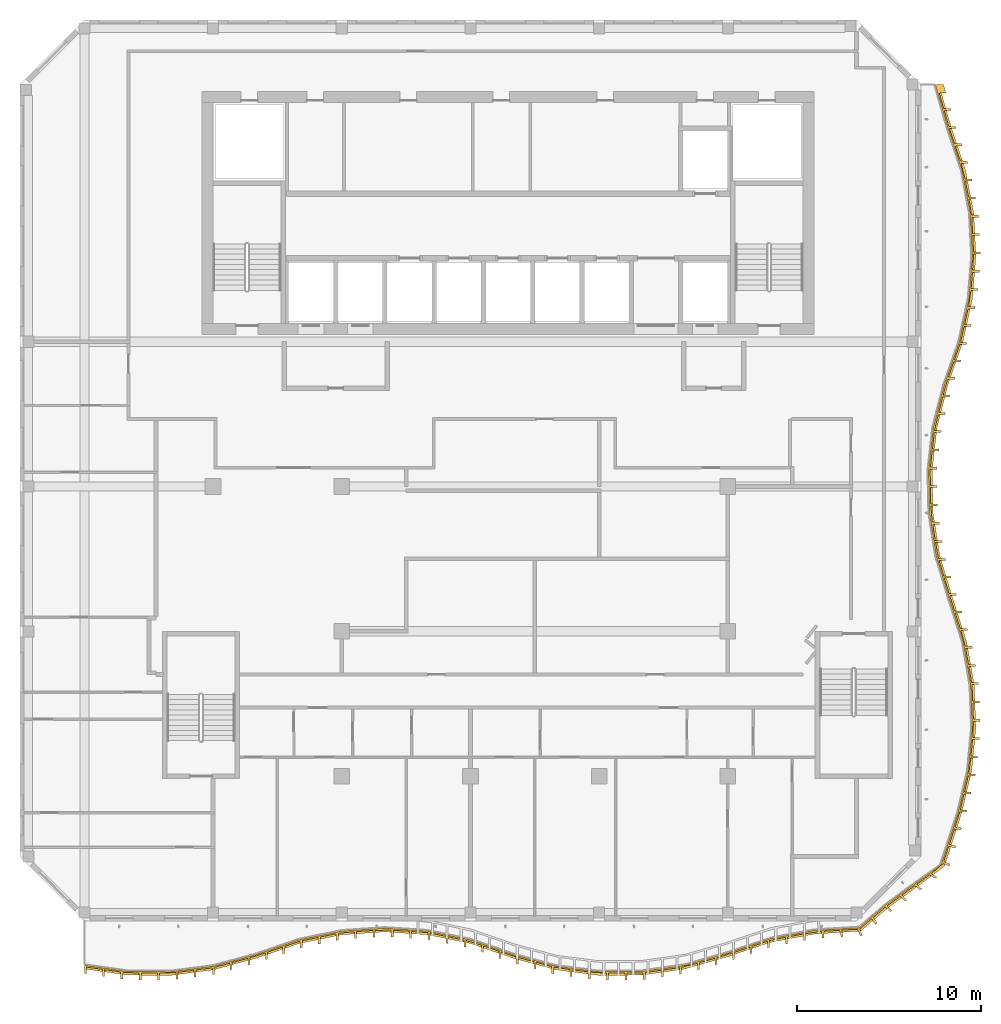
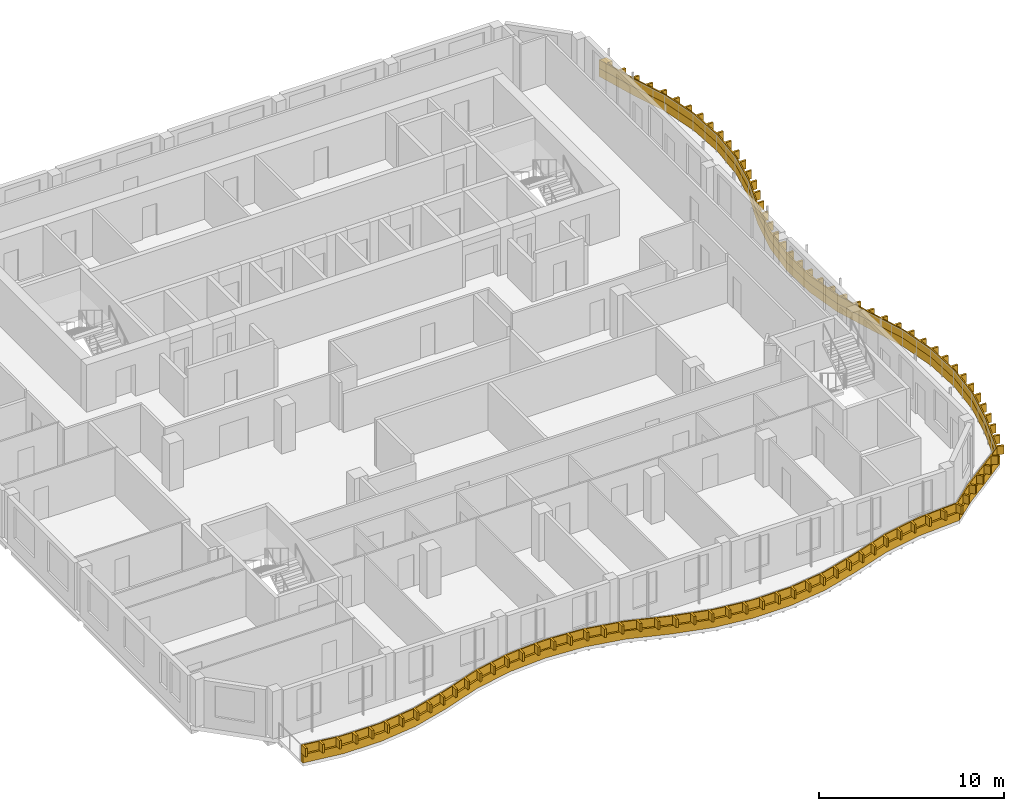
# One storey, part 12 of 17: 2 shading devices.
"""IFC4 building model written with IfcOpenShell, lengths in metres."""

from ifc_helpers import new_model, si_unit, direction, frame, origin, place, context, subcontext, project, spatial, polyline, outline, extrude, source, transform, mapped, material, layer, layer_set, type_object, element, save


model = new_model("IFC4")

# Units and contexts
model_context = context("Model", 3, precision=1e-05, world=origin(), true_north=direction((0.0, 1.0)))
body_context = subcontext(model_context, "Body", "Model", "MODEL_VIEW")
ifc_project = project(units=[si_unit("LENGTHUNIT", "METRE"), si_unit("AREAUNIT", "SQUARE_METRE"), si_unit("VOLUMEUNIT", "CUBIC_METRE"), si_unit("PLANEANGLEUNIT", "RADIAN"), si_unit("MASSUNIT", "GRAM", prefix="KILO")], contexts=[model_context])

# Site, building, storey
site_placement = place(None, origin())
site = spatial("IfcSite", under=ifc_project, at=site_placement, CompositionType="ELEMENT")
building_placement = place(site_placement, origin())
building = spatial("IfcBuilding", under=site, at=building_placement, Name="Kilnfold Tower and Market Hall", CompositionType="ELEMENT")
storey_placement = place(building_placement, frame((0.0, 0.0, 298.39990234375)))
storey = spatial("IfcBuildingStorey", under=building, at=storey_placement, Name="L74", CompositionType="ELEMENT", Elevation=298.39990234375)

# Shading devices
ifc_material_1 = material(Name="Precast concrete C50/60", Category="concrete")
ifc_layer_1 = layer(ifc_material_1, 0.550048828125)
ifc_layer_set_1 = layer_set([ifc_layer_1], Name="Precast concrete C50/60")
shading_device_type_1 = type_object("IfcShadingDeviceType", Name="BALCONY UPSTAND 550", PredefinedType="USERDEFINED", material=ifc_layer_set_1)
shared_shape_1 = source(origin(), body_context, "Body", "SweptSolid", [
    extrude(outline(polyline([(-22.0, -26.117431640625), (-19.666748046875, -26.45166015625), (-17.333251953125, -26.46923828125), (-15.0, -26.1708984375), (-12.666748046875, -25.5400390625), (-10.333251953125, -24.73779296875), (-8.0, -24.257568359375), (-5.666748046875, -24.10009765625), (-3.333251953125, -24.25634765625), (-1.0, -24.735595703125), (1.333251953125, -25.537109375), (3.666748046875, -26.169189453125), (6.0, -26.468505859375), (8.333251953125, -26.452392578125), (10.666748046875, -26.119384765625), (13.0, -25.450439453125), (15.333251953125, -24.669677734375), (17.666748046875, -24.225341796875), (20.230224609375, -24.055908203125), (21.664306640625, -22.830810546875), (23.015625, -21.84912109375), (24.78759765625, -20.533203125), (25.71337890625, -17.666748046875), (26.2666015625, -15.333251953125), (26.49267578125, -13.0), (26.404296875, -10.666748046875), (25.99658203125, -8.333251953125), (25.246826171875, -6.0), (24.538330078125, -3.666748046875), (24.169189453125, -1.333251953125), (24.11767578125, 1.0), (24.381103515625, 3.333251953125), (24.974609375, 5.666748046875), (25.789794921875, 8.0), (26.306396484375, 10.333251953125), (26.498046875, 12.666748046875), (26.375732421875, 15.0), (25.9326171875, 17.333251953125), (25.152587890625, 19.666748046875), (24.482421875, 22.0), (24.282470703125, 22.0), (24.95263671875, 19.666748046875), (25.732666015625, 17.333251953125), (26.17578125, 15.0), (26.298095703125, 12.666748046875), (26.1064453125, 10.333251953125), (25.589599609375, 8.0), (24.774658203125, 5.666748046875), (24.18115234375, 3.333251953125), (23.91748046875, 1.0), (23.968994140625, -1.333251953125), (24.33837890625, -3.666748046875), (25.046875, -6.0), (25.796630859375, -8.333251953125), (26.2041015625, -10.666748046875), (26.29248046875, -13.0), (26.06640625, -15.333251953125), (25.51318359375, -17.666748046875), (24.602783203125, -20.456787109375), (22.874267578125, -21.707763671875), (21.52294921875, -22.689453125), (20.15380859375, -23.87109375), (17.666748046875, -24.025390625), (15.333251953125, -24.4697265625), (13.0, -25.25048828125), (10.666748046875, -25.919189453125), (8.333251953125, -26.252197265625), (6.0, -26.2685546875), (3.666748046875, -25.96923828125), (1.333251953125, -25.337158203125), (-1.0, -24.535400390625), (-3.333251953125, -24.056396484375), (-5.666748046875, -23.89990234375), (-8.0, -24.0576171875), (-10.333251953125, -24.537841796875), (-12.666748046875, -25.340087890625), (-15.0, -25.970947265625), (-17.333251953125, -26.269287109375), (-19.666748046875, -26.251708984375), (-22.0, -25.91748046875), (-22.0, -26.117431640625)])), origin(), (0.0, 0.0, 1.0), 0.550048828125),
])
shading_device_1_placement = place(storey_placement, origin())
element("IfcShadingDevice", 1, at=shading_device_1_placement, inside=storey, type_object=shading_device_type_1, Name="Balcony fascia L74", ObjectType="FASCIA", PredefinedType="USERDEFINED", context=body_context, shape_type="MappedRepresentation", body=[
    mapped(shared_shape_1, transform((0.0, 0.0, 0.0))),
])
ifc_material_2 = material(Name="Bronze anodised aluminium", Category="aluminium")
ifc_layer_2 = layer(ifc_material_2, 0.550048828125)
ifc_layer_set_2 = layer_set([ifc_layer_2], Name="Bronze anodised aluminium")
shading_device_type_2 = type_object("IfcShadingDeviceType", Name="BRONZE SLAT FASCIA 550", PredefinedType="USERDEFINED", material=ifc_layer_set_2)
shared_shape_2 = source(origin(), body_context, "Body", "SweptSolid", [
    extrude(outline(polyline([(-22.0, -26.367431640625), (-22.0, -25.91748046875), (-19.666748046875, -26.251708984375), (-17.333251953125, -26.269287109375), (-15.0, -25.970947265625), (-12.666748046875, -25.340087890625), (-10.333251953125, -24.537841796875), (-8.0, -24.0576171875), (-5.666748046875, -23.89990234375), (-3.333251953125, -24.056396484375), (-1.0, -24.535400390625), (1.333251953125, -25.337158203125), (3.666748046875, -25.96923828125), (6.0, -26.2685546875), (8.333251953125, -26.252197265625), (10.666748046875, -25.919189453125), (13.0, -25.25048828125), (15.333251953125, -24.4697265625), (17.666748046875, -24.025390625), (20.15380859375, -23.87109375), (21.52294921875, -22.689453125), (24.602783203125, -20.456787109375), (25.51318359375, -17.666748046875), (26.06640625, -15.333251953125), (26.29248046875, -13.0), (26.2041015625, -10.666748046875), (25.796630859375, -8.333251953125), (25.046875, -6.0), (24.33837890625, -3.666748046875), (23.968994140625, -1.333251953125), (23.91748046875, 1.0), (24.18115234375, 3.333251953125), (24.774658203125, 5.666748046875), (25.589599609375, 8.0), (26.1064453125, 10.333251953125), (26.298095703125, 12.666748046875), (26.17578125, 15.0), (25.732666015625, 17.333251953125), (24.95263671875, 19.666748046875), (24.282470703125, 22.0), (24.732421875, 22.0), (24.868896484375, 21.525390625), (24.498779296875, 21.525390625), (24.74169921875, 20.679443359375), (25.11181640625, 20.679443359375), (25.14501953125, 20.564208984375), (24.77490234375, 20.564208984375), (25.017822265625, 19.71826171875), (25.387939453125, 19.71826171875), (25.423583984375, 19.603759765625), (25.0537109375, 19.603759765625), (25.332763671875, 18.769287109375), (25.70263671875, 18.769287109375), (25.74072265625, 18.655517578125), (25.37060546875, 18.655517578125), (25.649658203125, 17.82080078125), (26.019775390625, 17.82080078125), (26.0576171875, 17.70703125), (25.687744140625, 17.70703125), (25.9033203125, 16.855712890625), (26.273193359375, 16.855712890625), (26.295654296875, 16.73779296875), (25.92578125, 16.73779296875), (26.08984375, 15.873291015625), (26.4599609375, 15.873291015625), (26.482421875, 15.755615234375), (26.1123046875, 15.755615234375), (26.26171875, 14.88916015625), (26.631591796875, 14.88916015625), (26.637939453125, 14.769287109375), (26.267822265625, 14.769287109375), (26.31396484375, 13.890380859375), (26.68408203125, 13.890380859375), (26.690185546875, 13.770751953125), (26.3203125, 13.770751953125), (26.3662109375, 12.891845703125), (26.736328125, 12.891845703125), (26.74267578125, 12.772216796875), (26.37255859375, 12.772216796875), (26.314697265625, 11.894775390625), (26.684814453125, 11.894775390625), (26.6748046875, 11.775146484375), (26.304931640625, 11.775146484375), (26.23291015625, 10.898193359375), (26.602783203125, 10.898193359375), (26.593017578125, 10.778564453125), (26.222900390625, 10.778564453125), (26.0927734375, 9.910400390625), (26.462646484375, 9.910400390625), (26.436767578125, 9.793212890625), (26.06689453125, 9.793212890625), (25.87646484375, 8.93408203125), (26.24658203125, 8.93408203125), (26.220703125, 8.81689453125), (25.8505859375, 8.81689453125), (25.655517578125, 7.958984375), (26.025390625, 7.958984375), (25.98583984375, 7.845703125), (25.61572265625, 7.845703125), (25.32568359375, 7.014892578125), (25.695556640625, 7.014892578125), (25.656005859375, 6.901611328125), (25.285888671875, 6.901611328125), (24.995849609375, 6.07080078125), (25.36572265625, 6.07080078125), (25.326171875, 5.95751953125), (24.956298828125, 5.95751953125), (24.713623046875, 5.112548828125), (25.08349609375, 5.112548828125), (25.05419921875, 4.99609375), (24.68408203125, 4.99609375), (24.467041015625, 4.143310546875), (24.837158203125, 4.143310546875), (24.8076171875, 4.027099609375), (24.4375, 4.027099609375), (24.24267578125, 3.170166015625), (24.61279296875, 3.170166015625), (24.59912109375, 3.051025390625), (24.229248046875, 3.051025390625), (24.130615234375, 2.176513671875), (24.50048828125, 2.176513671875), (24.487060546875, 2.057373046875), (24.116943359375, 2.057373046875), (24.018310546875, 1.182861328125), (24.38818359375, 1.182861328125), (24.374755859375, 1.063720703125), (24.0048828125, 1.063720703125), (24.015625, 0.18408203125), (24.385498046875, 0.18408203125), (24.38818359375, 0.064208984375), (24.018310546875, 0.064208984375), (24.03759765625, -0.815673828125), (24.40771484375, -0.815673828125), (24.410400390625, -0.935546875), (24.040283203125, -0.935546875), (24.12451171875, -1.8095703125), (24.494384765625, -1.8095703125), (24.51318359375, -1.927978515625), (24.143310546875, -1.927978515625), (24.28076171875, -2.797119140625), (24.650634765625, -2.797119140625), (24.66943359375, -2.915771484375), (24.299560546875, -2.915771484375), (24.453125, -3.78125), (24.822998046875, -3.78125), (24.85791015625, -3.89599609375), (24.488037109375, -3.89599609375), (24.74365234375, -4.738037109375), (25.11376953125, -4.738037109375), (25.1484375, -4.852783203125), (24.778564453125, -4.852783203125), (25.0341796875, -5.69482421875), (25.404296875, -5.69482421875), (25.439208984375, -5.809814453125), (25.069091796875, -5.809814453125), (25.335205078125, -6.6484375), (25.705322265625, -6.6484375), (25.741943359375, -6.7626953125), (25.3720703125, -6.7626953125), (25.64111328125, -7.6005859375), (26.01123046875, -7.6005859375), (26.0478515625, -7.71484375), (25.677978515625, -7.71484375), (25.916259765625, -8.560302734375), (26.2861328125, -8.560302734375), (26.306884765625, -8.678466796875), (25.93701171875, -8.678466796875), (26.08837890625, -9.54541015625), (26.458251953125, -9.54541015625), (26.47900390625, -9.66357421875), (26.10888671875, -9.66357421875), (26.260498046875, -10.530517578125), (26.63037109375, -10.530517578125), (26.65087890625, -10.648681640625), (26.281005859375, -10.648681640625), (26.31689453125, -11.527587890625), (26.686767578125, -11.527587890625), (26.69140625, -11.647705078125), (26.3212890625, -11.647705078125), (26.354736328125, -12.527099609375), (26.724609375, -12.527099609375), (26.729248046875, -12.64697265625), (26.359130859375, -12.64697265625), (26.32177734375, -13.524169921875), (26.69189453125, -13.524169921875), (26.68017578125, -13.643798828125), (26.310302734375, -13.643798828125), (26.225341796875, -14.51953125), (26.595458984375, -14.51953125), (26.583740234375, -14.638916015625), (26.2138671875, -14.638916015625), (26.1044921875, -15.5107421875), (26.474365234375, -15.5107421875), (26.44677734375, -15.627685546875), (26.07666015625, -15.627685546875), (25.873779296875, -16.48388671875), (26.24365234375, -16.48388671875), (26.216064453125, -16.6005859375), (25.845947265625, -16.6005859375), (25.64306640625, -17.456787109375), (26.012939453125, -17.456787109375), (25.9853515625, -17.57373046875), (25.615478515625, -17.57373046875), (25.352783203125, -18.40087890625), (25.71728515625, -18.43798828125), (25.6796875, -18.555908203125), (25.316162109375, -18.51318359375), (25.048095703125, -19.3369140625), (25.40380859375, -19.42138671875), (25.365966796875, -19.539306640625), (25.01171875, -19.44921875), (24.745361328125, -20.273681640625), (25.090087890625, -20.40478515625), (25.052490234375, -20.522705078125), (24.709228515625, -20.385986328125), (24.064208984375, -20.93310546875), (24.3798828125, -21.11767578125), (24.280517578125, -21.193603515625), (23.968994140625, -21.002197265625), (23.273681640625, -21.51171875), (23.552490234375, -21.75048828125), (23.453125, -21.826416015625), (23.17919921875, -21.581298828125), (22.4736328125, -22.096435546875), (22.7353515625, -22.35791015625), (22.63818359375, -22.428466796875), (22.376708984375, -22.1669921875), (21.664794921875, -22.68408203125), (21.92626953125, -22.94580078125), (21.829345703125, -23.017578125), (21.568603515625, -22.75537109375), (20.91650390625, -23.31298828125), (21.122314453125, -23.614501953125), (21.02587890625, -23.69580078125), (20.82763671875, -23.38916015625), (20.176025390625, -23.945556640625), (20.317138671875, -24.28759765625), (20.19287109375, -24.29638671875), (20.05810546875, -23.95263671875), (19.195556640625, -24.005859375), (19.281982421875, -24.36083984375), (19.15771484375, -24.36962890625), (19.077880859375, -24.01318359375), (18.2158203125, -24.06884765625), (18.2470703125, -24.43408203125), (18.122802734375, -24.443115234375), (18.098388671875, -24.076416015625), (17.235107421875, -24.1875), (17.235107421875, -24.5576171875), (17.1171875, -24.580078125), (17.1171875, -24.2099609375), (16.252685546875, -24.37451171875), (16.252685546875, -24.74462890625), (16.134765625, -24.76708984375), (16.134765625, -24.39697265625), (15.272705078125, -24.570068359375), (15.272705078125, -24.93994140625), (15.15869140625, -24.97802734375), (15.15869140625, -24.608154296875), (14.32421875, -24.887451171875), (14.32421875, -25.25732421875), (14.21044921875, -25.29541015625), (14.21044921875, -24.92529296875), (13.3759765625, -25.20458984375), (13.3759765625, -25.57470703125), (13.26220703125, -25.61279296875), (13.26220703125, -25.242919921875), (12.419921875, -25.496826171875), (12.419921875, -25.86669921875), (12.304443359375, -25.89990234375), (12.304443359375, -25.52978515625), (11.45849609375, -25.772216796875), (11.45849609375, -26.142333984375), (11.343017578125, -26.17529296875), (11.343017578125, -25.805419921875), (10.4921875, -26.024169921875), (10.4921875, -26.394287109375), (10.373291015625, -26.4111328125), (10.373291015625, -26.041259765625), (9.502197265625, -26.16552734375), (9.502197265625, -26.535400390625), (9.38330078125, -26.552490234375), (9.38330078125, -26.182373046875), (8.51220703125, -26.306884765625), (8.51220703125, -26.6767578125), (8.393310546875, -26.693603515625), (8.393310546875, -26.32373046875), (7.513916015625, -26.337890625), (7.513916015625, -26.7080078125), (7.39404296875, -26.708984375), (7.39404296875, -26.3388671875), (6.51416015625, -26.344970703125), (6.51416015625, -26.715087890625), (6.39404296875, -26.7158203125), (6.39404296875, -26.345703125), (5.51806640625, -26.286865234375), (5.51806640625, -26.65673828125), (5.39892578125, -26.6416015625), (5.39892578125, -26.271484375), (4.526123046875, -26.159423828125), (4.526123046875, -26.529541015625), (4.406982421875, -26.514404296875), (4.406982421875, -26.144287109375), (3.537841796875, -26.014404296875), (3.537841796875, -26.384521484375), (3.422119140625, -26.35302734375), (3.422119140625, -25.98291015625), (2.572509765625, -25.7529296875), (2.572509765625, -26.122802734375), (2.456787109375, -26.091552734375), (2.456787109375, -25.721435546875), (1.607421875, -25.491455078125), (1.607421875, -25.861328125), (1.49169921875, -25.830078125), (1.49169921875, -25.4599609375), (0.65625, -25.1845703125), (0.65625, -25.554443359375), (0.542724609375, -25.515380859375), (0.542724609375, -25.1455078125), (-0.28955078125, -24.859619140625), (-0.28955078125, -25.2294921875), (-0.403076171875, -25.190673828125), (-0.403076171875, -24.820556640625), (-1.24365234375, -24.5654296875), (-1.24365234375, -24.935546875), (-1.361328125, -24.911376953125), (-1.361328125, -24.541259765625), (-2.223388671875, -24.3642578125), (-2.223388671875, -24.734375), (-2.3408203125, -24.710205078125), (-2.3408203125, -24.340087890625), (-3.202880859375, -24.1630859375), (-3.202880859375, -24.533203125), (-3.3203125, -24.509033203125), (-3.3203125, -24.138916015625), (-4.1982421875, -24.078369140625), (-4.1982421875, -24.448486328125), (-4.31787109375, -24.4404296875), (-4.31787109375, -24.0703125), (-5.196044921875, -24.01171875), (-5.196044921875, -24.381591796875), (-5.315673828125, -24.37353515625), (-5.315673828125, -24.00341796875), (-6.193603515625, -24.015625), (-6.193603515625, -24.385498046875), (-6.3134765625, -24.393798828125), (-6.3134765625, -24.023681640625), (-7.19140625, -24.0830078125), (-7.19140625, -24.452880859375), (-7.311279296875, -24.461181640625), (-7.311279296875, -24.091064453125), (-8.185791015625, -24.17578125), (-8.185791015625, -24.5458984375), (-8.30322265625, -24.570068359375), (-8.30322265625, -24.199951171875), (-9.165283203125, -24.37744140625), (-9.165283203125, -24.747314453125), (-9.28271484375, -24.771484375), (-9.28271484375, -24.401611328125), (-10.14453125, -24.5791015625), (-10.14453125, -24.94921875), (-10.26220703125, -24.973388671875), (-10.26220703125, -24.603271484375), (-11.0966796875, -24.88037109375), (-11.0966796875, -25.25048828125), (-11.210205078125, -25.289306640625), (-11.210205078125, -24.91943359375), (-12.04248046875, -25.20556640625), (-12.04248046875, -25.575439453125), (-12.156005859375, -25.614501953125), (-12.156005859375, -25.244384765625), (-12.994873046875, -25.5087890625), (-12.994873046875, -25.87890625), (-13.110595703125, -25.91015625), (-13.110595703125, -25.5400390625), (-13.960205078125, -25.769775390625), (-13.960205078125, -26.139892578125), (-14.075927734375, -26.171142578125), (-14.075927734375, -25.80126953125), (-14.925537109375, -26.031005859375), (-14.925537109375, -26.40087890625), (-15.0, -26.4208984375), (-15.04248046875, -26.426513671875), (-15.04248046875, -26.056396484375), (-15.915283203125, -26.16796875), (-15.915283203125, -26.5380859375), (-16.034423828125, -26.55322265625), (-16.034423828125, -26.18310546875), (-16.9072265625, -26.294921875), (-16.9072265625, -26.664794921875), (-17.0263671875, -26.679931640625), (-17.0263671875, -26.31005859375), (-17.90380859375, -26.344970703125), (-17.90380859375, -26.71484375), (-18.023681640625, -26.714111328125), (-18.023681640625, -26.343994140625), (-18.90380859375, -26.33740234375), (-18.90380859375, -26.70751953125), (-19.023681640625, -26.706298828125), (-19.023681640625, -26.33642578125), (-19.9013671875, -26.298095703125), (-19.9013671875, -26.66796875), (-20.020263671875, -26.65087890625), (-20.020263671875, -26.281005859375), (-20.891357421875, -26.15625), (-20.891357421875, -26.5263671875), (-21.010009765625, -26.50927734375), (-21.010009765625, -26.13916015625), (-21.881103515625, -26.014404296875), (-21.881103515625, -26.384521484375), (-22.0, -26.367431640625)])), origin(), (0.0, 0.0, 1.0), 0.550048828125),
])
shading_device_2_placement = place(storey_placement, frame((0.0, 0.0, 0.550048828125)))
element("IfcShadingDevice", 2, at=shading_device_2_placement, inside=storey, type_object=shading_device_type_2, Name="Balcony slat fascia L74", ObjectType="SLAT", PredefinedType="USERDEFINED", context=body_context, shape_type="MappedRepresentation", body=[
    mapped(shared_shape_2, transform((0.0, 0.0, 0.0))),
])

save(model, "model.ifc")
